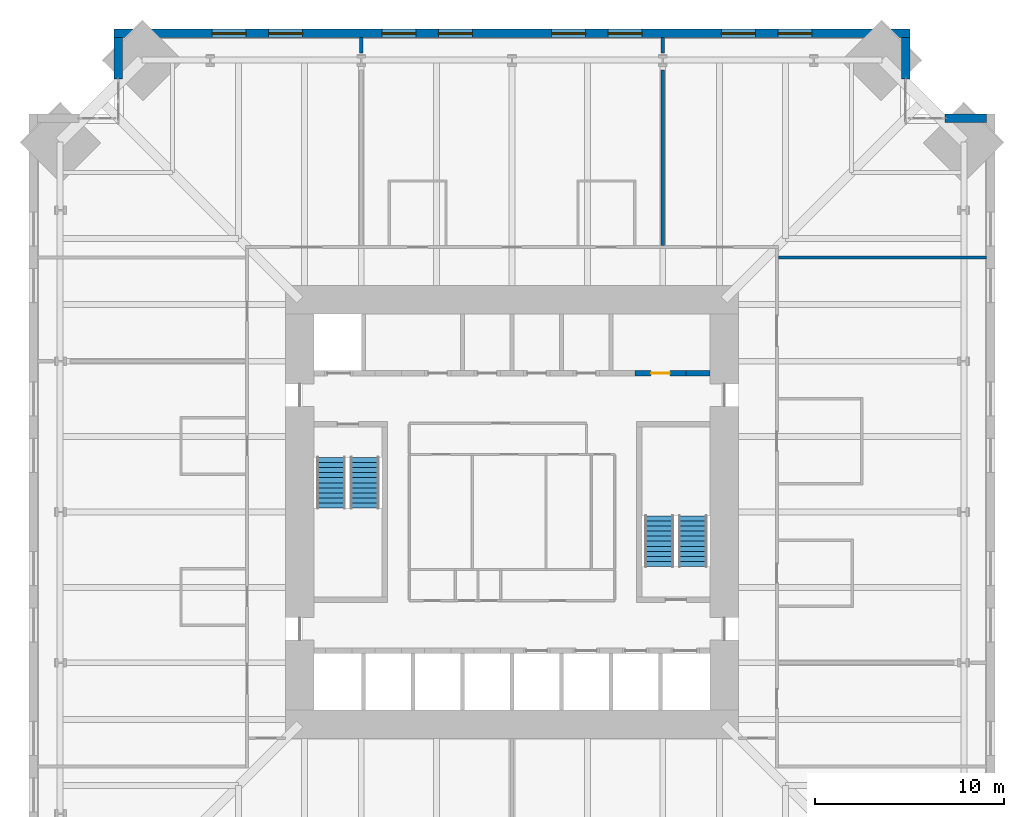
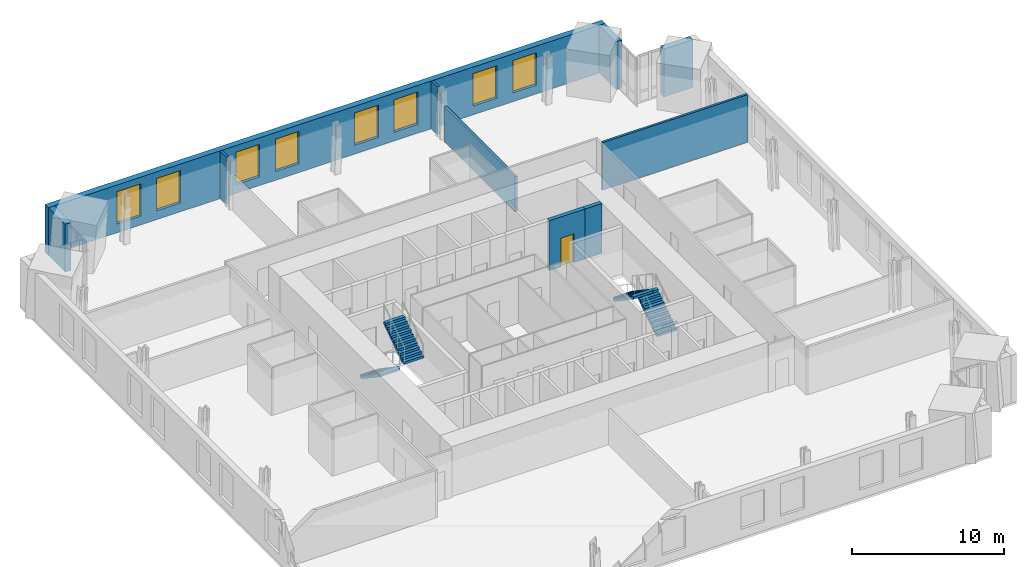
# One storey, part 17 of 18: 10 walls, 8 windows, 4 stair flights, 1 door, 9 openings, 2 elements without a shape of their own.
"""IFC4 building model written with IfcOpenShell, lengths in metres."""

from ifc_helpers import new_model, si_unit, direction, frame, frame_2d, origin, place, context, subcontext, project, spatial, polyline, rectangle, outline, extrude, material, layer, layer_set, type_object, element, fill, aggregate, save


model = new_model("IFC4")

# Units and contexts
model_context = context("Model", 3, precision=1e-05, world=origin(), true_north=direction((0.0, 1.0)))
body_context = subcontext(model_context, "Body", "Model", "MODEL_VIEW")
ifc_project = project(units=[si_unit("LENGTHUNIT", "METRE"), si_unit("AREAUNIT", "SQUARE_METRE"), si_unit("VOLUMEUNIT", "CUBIC_METRE"), si_unit("PLANEANGLEUNIT", "RADIAN"), si_unit("MASSUNIT", "GRAM", prefix="KILO")], contexts=[model_context])

# Site, building, storey
site_placement = place(None, origin())
site = spatial("IfcSite", under=ifc_project, at=site_placement, CompositionType="ELEMENT")
building_placement = place(site_placement, origin())
building = spatial("IfcBuilding", under=site, at=building_placement, Name="Peilmerk Tower", CompositionType="ELEMENT")
storey_placement = place(building_placement, frame((0.0, 0.0, 171.800048828125)))
storey = spatial("IfcBuildingStorey", under=building, at=storey_placement, Name="L36", CompositionType="ELEMENT", Elevation=171.800048828125)

# Wall, openings, windows
ifc_material_1 = material(Name="Precast concrete C45/55, board-marked finish", Category="concrete")
ifc_layer_1 = layer(ifc_material_1, 0.449951171875)
ifc_layer_set_1 = layer_set([ifc_layer_1], Name="Precast concrete C45/55, board-marked finish")
wall_type_1 = type_object("IfcWallType", Name="EW1 450 precast concrete facade wall, board-marked", PredefinedType="SOLIDWALL", material=ifc_layer_set_1)
wall_1_placement = place(storey_placement, frame((21.10009765625, 25.375, 0.0), z_axis=(0.0, 0.0, 1.0), x_axis=(-1.0, 0.0, 0.0)))
wall_1 = element("IfcWall", 1, at=wall_1_placement, inside=storey, type_object=wall_type_1, Name="Facade wall N L36", PredefinedType="SOLIDWALL", context=body_context, shape_type="SweptSolid", body=[
    extrude(rectangle(XDim=42.2001953125, YDim=0.449951171875, at=frame_2d((21.10009765625, 0.0))), origin(), (0.0, 0.0, 1.0), 3.829833984375),
])
opening_1_placement = place(wall_1_placement, frame((5.199951171875, 0.0, 0.699951171875)))
opening_1 = element("IfcOpeningElement", 2, at=opening_1_placement, cuts=wall_1, Name="Opening W1", PredefinedType="OPENING", context=body_context, shape_type="SweptSolid", body=[
    extrude(rectangle(XDim=1.800048828125, YDim=2.60009765625, at=frame_2d((0.89990234375, 1.300048828125))), frame((0.0, 0.23486328125, 0.0), z_axis=(0.0, -1.0, 0.0), x_axis=(1.0, 0.0, 0.0)), (0.0, 0.0, 1.0), 0.469970703125),
])
opening_2_placement = place(wall_1_placement, frame((8.199951171875, 0.0, 0.699951171875)))
opening_2 = element("IfcOpeningElement", 3, at=opening_2_placement, cuts=wall_1, Name="Opening W1", PredefinedType="OPENING", context=body_context, shape_type="SweptSolid", body=[
    extrude(rectangle(XDim=1.800048828125, YDim=2.60009765625, at=frame_2d((0.89990234375, 1.300048828125))), frame((0.0, 0.23486328125, 0.0), z_axis=(0.0, -1.0, 0.0), x_axis=(1.0, 0.0, 0.0)), (0.0, 0.0, 1.0), 0.469970703125),
])
opening_3_placement = place(wall_1_placement, frame((14.199951171875, 0.0, 0.699951171875)))
opening_3 = element("IfcOpeningElement", 4, at=opening_3_placement, cuts=wall_1, Name="Opening W1", PredefinedType="OPENING", context=body_context, shape_type="SweptSolid", body=[
    extrude(rectangle(XDim=1.800048828125, YDim=2.60009765625, at=frame_2d((0.89990234375, 1.300048828125))), frame((0.0, 0.23486328125, 0.0), z_axis=(0.0, -1.0, 0.0), x_axis=(1.0, 0.0, 0.0)), (0.0, 0.0, 1.0), 0.469970703125),
])
opening_4_placement = place(wall_1_placement, frame((17.199951171875, 0.0, 0.699951171875)))
opening_4 = element("IfcOpeningElement", 5, at=opening_4_placement, cuts=wall_1, Name="Opening W1", PredefinedType="OPENING", context=body_context, shape_type="SweptSolid", body=[
    extrude(rectangle(XDim=1.800048828125, YDim=2.60009765625, at=frame_2d((0.89990234375, 1.300048828125))), frame((0.0, 0.23486328125, 0.0), z_axis=(0.0, -1.0, 0.0), x_axis=(1.0, 0.0, 0.0)), (0.0, 0.0, 1.0), 0.469970703125),
])
opening_5_placement = place(wall_1_placement, frame((23.199951171875, 0.0, 0.699951171875)))
opening_5 = element("IfcOpeningElement", 6, at=opening_5_placement, cuts=wall_1, Name="Opening W1", PredefinedType="OPENING", context=body_context, shape_type="SweptSolid", body=[
    extrude(rectangle(XDim=1.800048828125, YDim=2.60009765625, at=frame_2d((0.89990234375, 1.300048828125))), frame((0.0, 0.23486328125, 0.0), z_axis=(0.0, -1.0, 0.0), x_axis=(1.0, 0.0, 0.0)), (0.0, 0.0, 1.0), 0.469970703125),
])
opening_6_placement = place(wall_1_placement, frame((26.199951171875, 0.0, 0.699951171875)))
opening_6 = element("IfcOpeningElement", 7, at=opening_6_placement, cuts=wall_1, Name="Opening W1", PredefinedType="OPENING", context=body_context, shape_type="SweptSolid", body=[
    extrude(rectangle(XDim=1.800048828125, YDim=2.60009765625, at=frame_2d((0.89990234375, 1.300048828125))), frame((0.0, 0.23486328125, 0.0), z_axis=(0.0, -1.0, 0.0), x_axis=(1.0, 0.0, 0.0)), (0.0, 0.0, 1.0), 0.469970703125),
])
opening_7_placement = place(wall_1_placement, frame((32.199951171875, 0.0, 0.699951171875)))
opening_7 = element("IfcOpeningElement", 8, at=opening_7_placement, cuts=wall_1, Name="Opening W1", PredefinedType="OPENING", context=body_context, shape_type="SweptSolid", body=[
    extrude(rectangle(XDim=1.800048828125, YDim=2.60009765625, at=frame_2d((0.89990234375, 1.300048828125))), frame((0.0, 0.23486328125, 0.0), z_axis=(0.0, -1.0, 0.0), x_axis=(1.0, 0.0, 0.0)), (0.0, 0.0, 1.0), 0.469970703125),
])
opening_8_placement = place(wall_1_placement, frame((35.199951171875, 0.0, 0.699951171875)))
opening_8 = element("IfcOpeningElement", 9, at=opening_8_placement, cuts=wall_1, Name="Opening W1", PredefinedType="OPENING", context=body_context, shape_type="SweptSolid", body=[
    extrude(rectangle(XDim=1.800048828125, YDim=2.60009765625, at=frame_2d((0.89990234375, 1.300048828125))), frame((0.0, 0.23486328125, 0.0), z_axis=(0.0, -1.0, 0.0), x_axis=(1.0, 0.0, 0.0)), (0.0, 0.0, 1.0), 0.469970703125),
])
ifc_material_2 = material(Name="Aluminium frame, clear double glazing", Category="aluminium")
window_type = type_object("IfcWindowType", Name="W1 1800x2600 office window", PartitioningType="SINGLE_PANEL", PredefinedType="WINDOW", material=ifc_material_2)
window_1_placement = place(opening_1_placement, origin())
window_1 = element("IfcWindow", 10, at=window_1_placement, inside=storey, type_object=window_type, Name="Window W1 L36", OverallHeight=2.60009765625, OverallWidth=1.800048828125, PartitioningType="SINGLE_PANEL", PredefinedType="WINDOW", context=body_context, shape_type="SweptSolid", body=[
    extrude(rectangle(XDim=1.800048828125, YDim=2.60009765625, at=frame_2d((0.89990234375, 1.300048828125))), frame((0.0, 0.030029296875, 0.0), z_axis=(0.0, -1.0, 0.0), x_axis=(1.0, 0.0, 0.0)), (0.0, 0.0, 1.0), 0.06005859375),
])
fill(opening_1, window_1)
window_2_placement = place(opening_2_placement, origin())
window_2 = element("IfcWindow", 11, at=window_2_placement, inside=storey, type_object=window_type, Name="Window W1 L36", OverallHeight=2.60009765625, OverallWidth=1.800048828125, PartitioningType="SINGLE_PANEL", PredefinedType="WINDOW", context=body_context, shape_type="SweptSolid", body=[
    extrude(rectangle(XDim=1.800048828125, YDim=2.60009765625, at=frame_2d((0.89990234375, 1.300048828125))), frame((0.0, 0.030029296875, 0.0), z_axis=(0.0, -1.0, 0.0), x_axis=(1.0, 0.0, 0.0)), (0.0, 0.0, 1.0), 0.06005859375),
])
fill(opening_2, window_2)
window_3_placement = place(opening_3_placement, origin())
window_3 = element("IfcWindow", 12, at=window_3_placement, inside=storey, type_object=window_type, Name="Window W1 L36", OverallHeight=2.60009765625, OverallWidth=1.800048828125, PartitioningType="SINGLE_PANEL", PredefinedType="WINDOW", context=body_context, shape_type="SweptSolid", body=[
    extrude(rectangle(XDim=1.800048828125, YDim=2.60009765625, at=frame_2d((0.89990234375, 1.300048828125))), frame((0.0, 0.030029296875, 0.0), z_axis=(0.0, -1.0, 0.0), x_axis=(1.0, 0.0, 0.0)), (0.0, 0.0, 1.0), 0.06005859375),
])
fill(opening_3, window_3)
window_4_placement = place(opening_4_placement, origin())
window_4 = element("IfcWindow", 13, at=window_4_placement, inside=storey, type_object=window_type, Name="Window W1 L36", OverallHeight=2.60009765625, OverallWidth=1.800048828125, PartitioningType="SINGLE_PANEL", PredefinedType="WINDOW", context=body_context, shape_type="SweptSolid", body=[
    extrude(rectangle(XDim=1.800048828125, YDim=2.60009765625, at=frame_2d((0.89990234375, 1.300048828125))), frame((0.0, 0.030029296875, 0.0), z_axis=(0.0, -1.0, 0.0), x_axis=(1.0, 0.0, 0.0)), (0.0, 0.0, 1.0), 0.06005859375),
])
fill(opening_4, window_4)
window_5_placement = place(opening_5_placement, origin())
window_5 = element("IfcWindow", 14, at=window_5_placement, inside=storey, type_object=window_type, Name="Window W1 L36", OverallHeight=2.60009765625, OverallWidth=1.800048828125, PartitioningType="SINGLE_PANEL", PredefinedType="WINDOW", context=body_context, shape_type="SweptSolid", body=[
    extrude(rectangle(XDim=1.800048828125, YDim=2.60009765625, at=frame_2d((0.89990234375, 1.300048828125))), frame((0.0, 0.030029296875, 0.0), z_axis=(0.0, -1.0, 0.0), x_axis=(1.0, 0.0, 0.0)), (0.0, 0.0, 1.0), 0.06005859375),
])
fill(opening_5, window_5)
window_6_placement = place(opening_6_placement, origin())
window_6 = element("IfcWindow", 15, at=window_6_placement, inside=storey, type_object=window_type, Name="Window W1 L36", OverallHeight=2.60009765625, OverallWidth=1.800048828125, PartitioningType="SINGLE_PANEL", PredefinedType="WINDOW", context=body_context, shape_type="SweptSolid", body=[
    extrude(rectangle(XDim=1.800048828125, YDim=2.60009765625, at=frame_2d((0.89990234375, 1.300048828125))), frame((0.0, 0.030029296875, 0.0), z_axis=(0.0, -1.0, 0.0), x_axis=(1.0, 0.0, 0.0)), (0.0, 0.0, 1.0), 0.06005859375),
])
fill(opening_6, window_6)
window_7_placement = place(opening_7_placement, origin())
window_7 = element("IfcWindow", 16, at=window_7_placement, inside=storey, type_object=window_type, Name="Window W1 L36", OverallHeight=2.60009765625, OverallWidth=1.800048828125, PartitioningType="SINGLE_PANEL", PredefinedType="WINDOW", context=body_context, shape_type="SweptSolid", body=[
    extrude(rectangle(XDim=1.800048828125, YDim=2.60009765625, at=frame_2d((0.89990234375, 1.300048828125))), frame((0.0, 0.030029296875, 0.0), z_axis=(0.0, -1.0, 0.0), x_axis=(1.0, 0.0, 0.0)), (0.0, 0.0, 1.0), 0.06005859375),
])
fill(opening_7, window_7)
window_8_placement = place(opening_8_placement, origin())
window_8 = element("IfcWindow", 17, at=window_8_placement, inside=storey, type_object=window_type, Name="Window W1 L36", OverallHeight=2.60009765625, OverallWidth=1.800048828125, PartitioningType="SINGLE_PANEL", PredefinedType="WINDOW", context=body_context, shape_type="SweptSolid", body=[
    extrude(rectangle(XDim=1.800048828125, YDim=2.60009765625, at=frame_2d((0.89990234375, 1.300048828125))), frame((0.0, 0.030029296875, 0.0), z_axis=(0.0, -1.0, 0.0), x_axis=(1.0, 0.0, 0.0)), (0.0, 0.0, 1.0), 0.06005859375),
])
fill(opening_8, window_8)

# Walls
for number, where, z_axis, x_axis, name in (
    (18, (20.875, 22.95361328125, 0.0), (0.0, 0.0, 1.0), (0.0, 1.0, 0.0), "Facade wall NEA L36"),
    (19, (22.95361328125, 20.875, 0.0), (0.0, 0.0, 1.0), (1.0, 0.0, 0.0), "Facade wall NEB L36"),
    (20, (-20.875, 22.95361328125, 0.0), (0.0, 0.0, 1.0), (0.0, 1.0, 0.0), "Facade wall NWA L36"),
):
    element("IfcWall", number, at=place(storey_placement, frame(where, z_axis=z_axis, x_axis=x_axis)), inside=storey, type_object=wall_type_1, Name=name, PredefinedType="SOLIDWALL", context=body_context, shape_type="SweptSolid", body=[
        extrude(rectangle(XDim=2.1962890625, YDim=0.449951171875, at=frame_2d((1.09814453125, 0.0))), origin(), (0.0, 0.0, 1.0), 3.829833984375),
    ])
ifc_material_3 = material(Name="Calcium silicate block", Category="masonry")
ifc_layer_2 = layer(ifc_material_3, 0.175048828125)
ifc_layer_set_2 = layer_set([ifc_layer_2], Name="Calcium silicate block")
wall_type_2 = type_object("IfcWallType", Name="IW8 175 tenant separating wall, EI 60", PredefinedType="PARTITIONING", material=ifc_layer_set_2)
wall_2_placement = place(storey_placement, frame((14.125, 13.5, 0.0), z_axis=(0.0, 0.0, 1.0), x_axis=(1.0, 0.0, 0.0)))
element("IfcWall", 21, at=wall_2_placement, inside=storey, type_object=wall_type_2, Name="Tenant separating wall NE L36", PredefinedType="PARTITIONING", context=body_context, shape_type="SweptSolid", body=[
    extrude(rectangle(XDim=11.02490234375, YDim=0.175048828125, at=frame_2d((5.512451171875, 0.0))), origin(), (0.0, 0.0, 1.0), 3.829833984375),
])
wall_3_placement = place(storey_placement, frame((-8.0, 24.333251953125, 0.0), z_axis=(0.0, 0.0, 1.0), x_axis=(0.0, 1.0, 0.0)))
element("IfcWall", 22, at=wall_3_placement, inside=storey, type_object=wall_type_2, Name="Tenant separating wall N1b L36", PredefinedType="PARTITIONING", context=body_context, shape_type="SweptSolid", body=[
    extrude(rectangle(XDim=0.816650390625, YDim=0.175048828125, at=frame_2d((0.408203125, 0.0))), origin(), (0.0, 0.0, 1.0), 3.829833984375),
])
wall_4_placement = place(storey_placement, frame((8.0, 14.125, 0.0), z_axis=(0.0, 0.0, 1.0), x_axis=(0.0, 1.0, 0.0)))
element("IfcWall", 23, at=wall_4_placement, inside=storey, type_object=wall_type_2, Name="Tenant separating wall N2 L36", PredefinedType="PARTITIONING", context=body_context, shape_type="SweptSolid", body=[
    extrude(rectangle(XDim=9.319091796875, YDim=0.175048828125, at=frame_2d((4.65966796875, 0.0))), origin(), (0.0, 0.0, 1.0), 2.83984375),
])
wall_5_placement = place(storey_placement, frame((8.0, 24.333251953125, 0.0), z_axis=(0.0, 0.0, 1.0), x_axis=(0.0, 1.0, 0.0)))
element("IfcWall", 24, at=wall_5_placement, inside=storey, type_object=wall_type_2, Name="Tenant separating wall N2b L36", PredefinedType="PARTITIONING", context=body_context, shape_type="SweptSolid", body=[
    extrude(rectangle(XDim=0.816650390625, YDim=0.175048828125, at=frame_2d((0.408203125, 0.0))), origin(), (0.0, 0.0, 1.0), 3.829833984375),
])

# Wall, opening, door
ifc_layer_3 = layer(ifc_material_3, 0.300048828125)
ifc_layer_set_3 = layer_set([ifc_layer_3], Name="Calcium silicate block")
wall_type_3 = type_object("IfcWallType", Name="SH2 300 lift landing door panel, EI 120", PredefinedType="PARTITIONING", material=ifc_layer_set_3)
wall_6_placement = place(storey_placement, frame((6.52490234375, 7.35009765625, 0.0), z_axis=(0.0, 0.0, 1.0), x_axis=(1.0, 0.0, 0.0)))
wall_6 = element("IfcWall", 25, at=wall_6_placement, inside=storey, type_object=wall_type_3, Name="Lift door panel N GL1 L36", PredefinedType="PARTITIONING", context=body_context, shape_type="SweptSolid", body=[
    extrude(rectangle(XDim=2.7001953125, YDim=0.300048828125, at=frame_2d((1.35009765625, 0.0))), origin(), (0.0, 0.0, 1.0), 4.0),
])
opening_9_placement = place(wall_6_placement, frame((0.85009765625, 0.0, 0.0)))
opening_9 = element("IfcOpeningElement", 26, at=opening_9_placement, cuts=wall_6, Name="Opening D10", PredefinedType="OPENING", context=body_context, shape_type="SweptSolid", body=[
    extrude(rectangle(XDim=1.0, YDim=2.300048828125, at=frame_2d((0.5, 1.14990234375))), frame((0.0, 0.159912109375, 0.0), z_axis=(0.0, -1.0, 0.0), x_axis=(1.0, 0.0, 0.0)), (0.0, 0.0, 1.0), 0.320068359375),
])
ifc_material_4 = material(Name="Steel door in steel frame", Category="steel")
door_type = type_object("IfcDoorType", Name="D10 1000x2300 core room door, EI2 60", OperationType="SINGLE_SWING_RIGHT", PredefinedType="DOOR", material=ifc_material_4)
door_placement = place(opening_9_placement, origin())
door = element("IfcDoor", 27, at=door_placement, inside=storey, type_object=door_type, Name="Door IT room L36", OperationType="SINGLE_SWING_RIGHT", OverallHeight=2.300048828125, OverallWidth=1.0, PredefinedType="DOOR", context=body_context, shape_type="SweptSolid", body=[
    extrude(rectangle(XDim=1.0, YDim=2.300048828125, at=frame_2d((0.5, 1.14990234375))), frame((0.0, 0.02490234375, 0.0), z_axis=(0.0, -1.0, 0.0), x_axis=(1.0, 0.0, 0.0)), (0.0, 0.0, 1.0), 0.050048828125),
])
fill(opening_9, door)

# Wall
ifc_material_5 = material(Name="Concrete C55/67", Category="concrete")
ifc_layer_4 = layer(ifc_material_5, 0.300048828125)
ifc_layer_set_4 = layer_set([ifc_layer_4], Name="Concrete C55/67")
wall_type_4 = type_object("IfcWallType", Name="SW2 300 lift bank pier", PredefinedType="SHEAR", material=ifc_layer_set_4)
wall_7_placement = place(storey_placement, frame((9.22509765625, 7.35009765625, 0.0), z_axis=(0.0, 0.0, 1.0), x_axis=(1.0, 0.0, 0.0)))
element("IfcWall", 28, at=wall_7_placement, inside=storey, type_object=wall_type_4, Name="Lift bank pier N L36", PredefinedType="SHEAR", context=body_context, shape_type="SweptSolid", body=[
    extrude(rectangle(XDim=1.27490234375, YDim=0.300048828125, at=frame_2d((0.637451171875, 0.0))), origin(), (0.0, 0.0, 1.0), 4.0),
])

# Stair, stair flights
ifc_material_6 = material(Name="Precast concrete C45/55", Category="concrete")
stair_type_1 = type_object("IfcStairType", Name="ST1 22 risers of 181.8", PredefinedType="HALF_TURN_STAIR", material=ifc_material_6)
stair_1_placement = place(storey_placement, origin())
stair_1 = element("IfcStair", 29, at=stair_1_placement, inside=storey, type_object=stair_type_1, Name="Stair 1 L36 to L37", PredefinedType="HALF_TURN_STAIR")
stair_flight_type = type_object("IfcStairFlightType", Name="SF11 flight, 11 risers of 181.8", PredefinedType="STRAIGHT", material=ifc_material_6)
stair_flight_1_placement = place(storey_placement, frame((-9.60009765625, 2.89990234375, 0.0), z_axis=(0.0, 0.0, 1.0), x_axis=(0.0, -1.0, 0.0)))
stair_flight_1 = element("IfcStairFlight", 30, at=stair_flight_1_placement, type_object=stair_flight_type, Name="ST1 flight 1", NumberOfRisers=11, NumberOfTreads=10, PredefinedType="STRAIGHT", RiserHeight=0.181818182, TreadLength=0.27, context=body_context, shape_type="SweptSolid", body=[
    extrude(outline(polyline([(0.0, 0.0), (0.0, 0.181884765625), (0.27001953125, 0.181884765625), (0.27001953125, 0.363525390625), (0.5400390625, 0.363525390625), (0.5400390625, 0.54541015625), (0.81005859375, 0.54541015625), (0.81005859375, 0.727294921875), (1.080078125, 0.727294921875), (1.080078125, 0.9091796875), (1.35009765625, 0.9091796875), (1.35009765625, 1.0908203125), (1.6201171875, 1.0908203125), (1.6201171875, 1.272705078125), (1.889892578125, 1.272705078125), (1.889892578125, 1.45458984375), (2.159912109375, 1.45458984375), (2.159912109375, 1.636474609375), (2.429931640625, 1.636474609375), (2.429931640625, 1.818115234375), (2.699951171875, 1.818115234375), (2.699951171875, 2.0), (2.699951171875, 1.637451171875), (0.268310546875, 0.0), (0.0, 0.0)])), frame((0.0, 0.75, 0.0), z_axis=(0.0, -1.0, 0.0), x_axis=(1.0, 0.0, 0.0)), (0.0, 0.0, 1.0), 1.5),
])
stair_flight_2_placement = place(storey_placement, frame((-7.800048828125, 0.199951171875, 2.0), z_axis=(0.0, 0.0, 1.0), x_axis=(0.0, 1.0, 0.0)))
stair_flight_2 = element("IfcStairFlight", 31, at=stair_flight_2_placement, type_object=stair_flight_type, Name="ST1 flight 2", NumberOfRisers=11, NumberOfTreads=10, PredefinedType="STRAIGHT", RiserHeight=0.181818182, TreadLength=0.27, context=body_context, shape_type="SweptSolid", body=[
    extrude(outline(polyline([(0.0, 0.0), (0.0, 0.181884765625), (0.27001953125, 0.181884765625), (0.27001953125, 0.363525390625), (0.5400390625, 0.363525390625), (0.5400390625, 0.54541015625), (0.81005859375, 0.54541015625), (0.81005859375, 0.727294921875), (1.080078125, 0.727294921875), (1.080078125, 0.9091796875), (1.35009765625, 0.9091796875), (1.35009765625, 1.0908203125), (1.6201171875, 1.0908203125), (1.6201171875, 1.272705078125), (1.889892578125, 1.272705078125), (1.889892578125, 1.45458984375), (2.159912109375, 1.45458984375), (2.159912109375, 1.636474609375), (2.429931640625, 1.636474609375), (2.429931640625, 1.818115234375), (2.699951171875, 1.818115234375), (2.699951171875, 2.0), (2.699951171875, 1.637451171875), (0.268310546875, 0.0), (0.0, 0.0)])), frame((0.0, 0.75, 0.0), z_axis=(0.0, -1.0, 0.0), x_axis=(1.0, 0.0, 0.0)), (0.0, 0.0, 1.0), 1.5),
])
aggregate(stair_1, [stair_flight_1, stair_flight_2])

stair_type_2 = type_object("IfcStairType", Name="ST2 22 risers of 181.8", PredefinedType="HALF_TURN_STAIR", material=ifc_material_6)
stair_2_placement = place(storey_placement, origin())
stair_2 = element("IfcStair", 32, at=stair_2_placement, inside=storey, type_object=stair_type_2, Name="Stair 2 L36 to L37", PredefinedType="HALF_TURN_STAIR")
stair_flight_3_placement = place(storey_placement, frame((9.60009765625, -2.89990234375, 0.0), z_axis=(0.0, 0.0, 1.0), x_axis=(0.0, 1.0, 0.0)))
stair_flight_3 = element("IfcStairFlight", 33, at=stair_flight_3_placement, type_object=stair_flight_type, Name="ST2 flight 1", NumberOfRisers=11, NumberOfTreads=10, PredefinedType="STRAIGHT", RiserHeight=0.181818182, TreadLength=0.27, context=body_context, shape_type="SweptSolid", body=[
    extrude(outline(polyline([(0.0, 0.0), (0.0, 0.181884765625), (0.27001953125, 0.181884765625), (0.27001953125, 0.363525390625), (0.5400390625, 0.363525390625), (0.5400390625, 0.54541015625), (0.81005859375, 0.54541015625), (0.81005859375, 0.727294921875), (1.080078125, 0.727294921875), (1.080078125, 0.9091796875), (1.35009765625, 0.9091796875), (1.35009765625, 1.0908203125), (1.6201171875, 1.0908203125), (1.6201171875, 1.272705078125), (1.889892578125, 1.272705078125), (1.889892578125, 1.45458984375), (2.159912109375, 1.45458984375), (2.159912109375, 1.636474609375), (2.429931640625, 1.636474609375), (2.429931640625, 1.818115234375), (2.699951171875, 1.818115234375), (2.699951171875, 2.0), (2.699951171875, 1.637451171875), (0.268310546875, 0.0), (0.0, 0.0)])), frame((0.0, 0.75, 0.0), z_axis=(0.0, -1.0, 0.0), x_axis=(1.0, 0.0, 0.0)), (0.0, 0.0, 1.0), 1.5),
])
stair_flight_4_placement = place(storey_placement, frame((7.800048828125, -0.199951171875, 2.0), z_axis=(0.0, 0.0, 1.0), x_axis=(0.0, -1.0, 0.0)))
stair_flight_4 = element("IfcStairFlight", 34, at=stair_flight_4_placement, type_object=stair_flight_type, Name="ST2 flight 2", NumberOfRisers=11, NumberOfTreads=10, PredefinedType="STRAIGHT", RiserHeight=0.181818182, TreadLength=0.27, context=body_context, shape_type="SweptSolid", body=[
    extrude(outline(polyline([(0.0, 0.0), (0.0, 0.181884765625), (0.27001953125, 0.181884765625), (0.27001953125, 0.363525390625), (0.5400390625, 0.363525390625), (0.5400390625, 0.54541015625), (0.81005859375, 0.54541015625), (0.81005859375, 0.727294921875), (1.080078125, 0.727294921875), (1.080078125, 0.9091796875), (1.35009765625, 0.9091796875), (1.35009765625, 1.0908203125), (1.6201171875, 1.0908203125), (1.6201171875, 1.272705078125), (1.889892578125, 1.272705078125), (1.889892578125, 1.45458984375), (2.159912109375, 1.45458984375), (2.159912109375, 1.636474609375), (2.429931640625, 1.636474609375), (2.429931640625, 1.818115234375), (2.699951171875, 1.818115234375), (2.699951171875, 2.0), (2.699951171875, 1.637451171875), (0.268310546875, 0.0), (0.0, 0.0)])), frame((0.0, 0.75, 0.0), z_axis=(0.0, -1.0, 0.0), x_axis=(1.0, 0.0, 0.0)), (0.0, 0.0, 1.0), 1.5),
])
aggregate(stair_2, [stair_flight_3, stair_flight_4])

save(model, "model.ifc")
